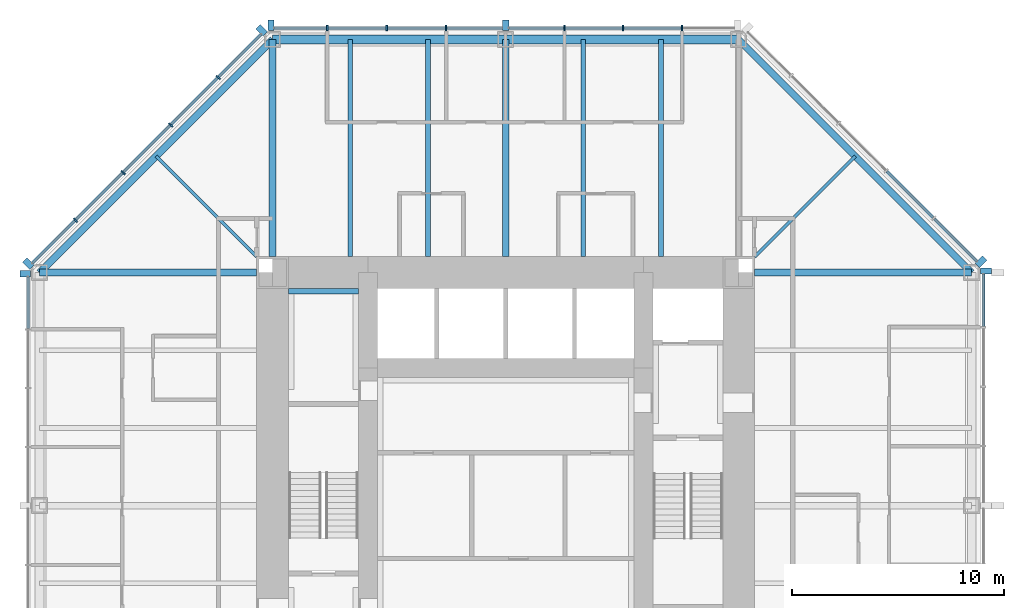
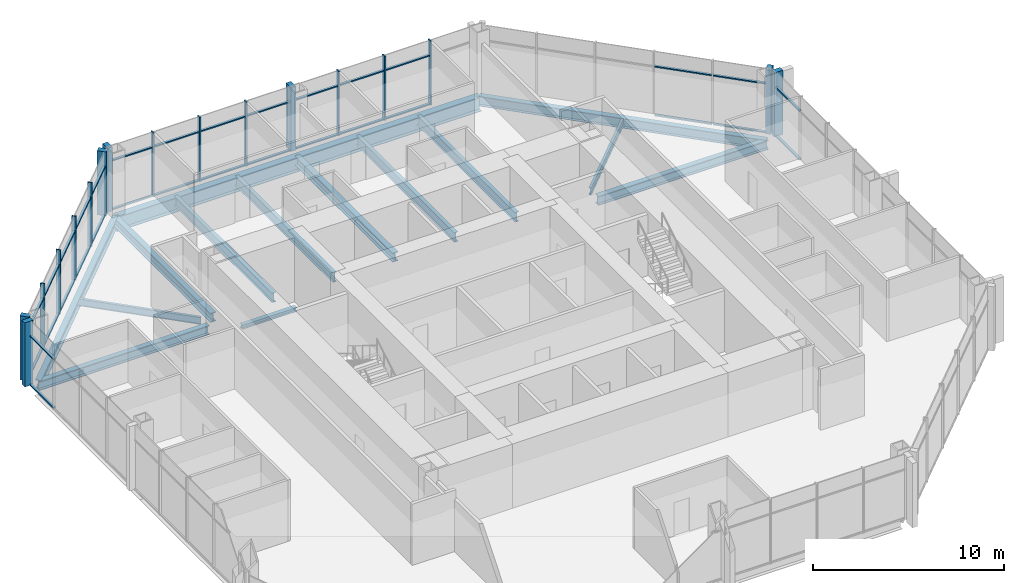
# One storey, part 5 of 12: 49 members, 15 beams, 5 elements without a shape of their own.
"""IFC4 building model written with IfcOpenShell, lengths in metres."""

from ifc_helpers import new_model, si_unit, direction, frame, origin, origin_2d, place, context, subcontext, project, spatial, rectangle, i_section, extrude, material, material_profile, profile_set, type_object, element, aggregate, save


model = new_model("IFC4")

# Units and contexts
model_context = context("Model", 3, precision=1e-05, world=origin(), true_north=direction((0.0, 1.0)))
body_context = subcontext(model_context, "Body", "Model", "MODEL_VIEW")
ifc_project = project(units=[si_unit("LENGTHUNIT", "METRE"), si_unit("AREAUNIT", "SQUARE_METRE"), si_unit("VOLUMEUNIT", "CUBIC_METRE"), si_unit("PLANEANGLEUNIT", "RADIAN"), si_unit("MASSUNIT", "GRAM", prefix="KILO")], contexts=[model_context])

# Site, building, storey
site_placement = place(None, origin())
site = spatial("IfcSite", under=ifc_project, at=site_placement, CompositionType="ELEMENT")
building_placement = place(site_placement, origin())
building = spatial("IfcBuilding", under=site, at=building_placement, Name="Trevanion Tower", CompositionType="ELEMENT")
storey_placement = place(building_placement, frame((0.0, 0.0, 129.5)))
storey = spatial("IfcBuildingStorey", under=building, at=storey_placement, Name="L30", CompositionType="ELEMENT", Elevation=129.5)

# Beams
ifc_material_1 = material(Name="Steel ASTM A992 Grade 50", Category="steel")
ifc_material_profile_1 = material_profile(ifc_material_1, i_section(OverallWidth=0.22900390625, OverallDepth=0.612060546875, WebThickness=0.011962890625, FlangeThickness=0.01953125, at=origin_2d()), Name="W24X84")
ifc_profile_set_1 = profile_set([ifc_material_profile_1], Name="Steel ASTM A992 Grade 50")
beam_type_1 = type_object("IfcBeamType", Name="B7 W24X84", PredefinedType="BEAM", material=ifc_profile_set_1)
for number, where, z_axis, x_axis, name in (
    (1, (7.333251953125, 11.75, -0.49609375), (0.0, 1.0, 0.0), (-1.0, 0.0, 0.0), "B7 L30"),
    (2, (3.666748046875, 11.75, -0.49609375), (0.0, 1.0, 0.0), (-1.0, 0.0, 0.0), "B7 L30"),
    (3, (-3.666748046875, 11.75, -0.49609375), (0.0, 1.0, 0.0), (-1.0, 0.0, 0.0), "B7 L30"),
    (4, (-7.333251953125, 11.75, -0.49609375), (0.0, 1.0, 0.0), (-1.0, 0.0, 0.0), "B7 L30"),
):
    element("IfcBeam", number, at=place(storey_placement, frame(where, z_axis=z_axis, x_axis=x_axis)), inside=storey, type_object=beam_type_1, Name=name, PredefinedType="BEAM", context=body_context, shape_type="SweptSolid", body=[
        extrude(i_section(OverallWidth=0.22900390625, OverallDepth=0.612060546875, WebThickness=0.011962890625, FlangeThickness=0.01953125, at=origin_2d()), origin(), (0.0, 0.0, 1.0), 10.25),
    ])
ifc_material_2 = material(Name="Steel ASTM A992 Grade 50", Category="steel")
ifc_material_profile_2 = material_profile(ifc_material_2, i_section(OverallWidth=0.15234375, OverallDepth=0.449462890625, WebThickness=0.007568359375, FlangeThickness=0.0107421875, at=origin_2d()), Name="W18X35")
ifc_profile_set_2 = profile_set([ifc_material_profile_2], Name="Steel ASTM A992 Grade 50")
beam_type_2 = type_object("IfcBeamType", Name="B8 W18X35", PredefinedType="BEAM", material=ifc_profile_set_2)
for number, where, z_axis, x_axis, name in (
    (5, (11.75, 11.75, -0.414794921875), (0.707106781187, 0.707106781187, 0.0), (-0.707106781187, 0.707106781187, 0.0), "B8 L30"),
    (6, (-11.75, 11.75, -0.414794921875), (-0.707106781187, 0.707106781187, 0.0), (-0.707106781187, -0.707106781187, 0.0), "B8 L30"),
):
    element("IfcBeam", number, at=place(storey_placement, frame(where, z_axis=z_axis, x_axis=x_axis)), inside=storey, type_object=beam_type_2, Name=name, PredefinedType="BEAM", context=body_context, shape_type="SweptSolid", body=[
        extrude(i_section(OverallWidth=0.15234375, OverallDepth=0.449462890625, WebThickness=0.007568359375, FlangeThickness=0.0107421875, at=origin_2d()), origin(), (0.0, 0.0, 1.0), 6.717529296875),
    ])

# Curtain wall, members
ifc_material_3 = material(Name="Aluminium and glass", Category="aluminium")
curtain_wall_type = type_object("IfcCurtainWallType", Name="CW2 curtain wall", PredefinedType="USERDEFINED", material=ifc_material_3)
curtain_wall_1_placement = place(storey_placement, origin())
curtain_wall_1 = element("IfcCurtainWall", 7, at=curtain_wall_1_placement, inside=storey, type_object=curtain_wall_type, Name="CW2 L30 2", ObjectType="UNITISED CURTAIN WALL", PredefinedType="USERDEFINED")
ifc_material_4 = material(Name="Aluminium extrusion, anodised bronze", Category="aluminium")
ifc_material_profile_3 = material_profile(ifc_material_4, rectangle(XDim=0.074951171875, YDim=0.25, at=origin_2d()), Name="CW2 mullion")
ifc_profile_set_3 = profile_set([ifc_material_profile_3], Name="Aluminium extrusion, anodised bronze")
member_type_1 = type_object("IfcMemberType", Name="CW2 mullion", PredefinedType="MULLION", material=ifc_profile_set_3)
member_1_placement = place(storey_placement, frame((8.323486328125, 22.550048828125, -0.18994140625), z_axis=(0.0, 0.0, 1.0), x_axis=(-1.0, 0.0, 0.0)))
member_1 = element("IfcMember", 8, at=member_1_placement, type_object=member_type_1, Name="CW2 mullion 2", PredefinedType="MULLION", context=body_context, shape_type="SweptSolid", body=[
    extrude(rectangle(XDim=0.074951171875, YDim=0.25, at=origin_2d()), origin(), (0.0, 0.0, 1.0), 4.099853515625),
])
member_2_placement = place(storey_placement, frame((5.548828125, 22.550048828125, -0.18994140625), z_axis=(0.0, 0.0, 1.0), x_axis=(-1.0, 0.0, 0.0)))
member_2 = element("IfcMember", 9, at=member_2_placement, type_object=member_type_1, Name="CW2 mullion 3", PredefinedType="MULLION", context=body_context, shape_type="SweptSolid", body=[
    extrude(rectangle(XDim=0.074951171875, YDim=0.25, at=origin_2d()), origin(), (0.0, 0.0, 1.0), 4.099853515625),
])
member_3_placement = place(storey_placement, frame((2.7744140625, 22.550048828125, -0.18994140625), z_axis=(0.0, 0.0, 1.0), x_axis=(-1.0, 0.0, 0.0)))
member_3 = element("IfcMember", 10, at=member_3_placement, type_object=member_type_1, Name="CW2 mullion 4", PredefinedType="MULLION", context=body_context, shape_type="SweptSolid", body=[
    extrude(rectangle(XDim=0.074951171875, YDim=0.25, at=origin_2d()), origin(), (0.0, 0.0, 1.0), 4.099853515625),
])
member_4_placement = place(storey_placement, frame((-2.806884765625, 22.550048828125, -0.18994140625), z_axis=(0.0, 0.0, 1.0), x_axis=(-1.0, 0.0, 0.0)))
member_4 = element("IfcMember", 11, at=member_4_placement, type_object=member_type_1, Name="CW2 mullion 6", PredefinedType="MULLION", context=body_context, shape_type="SweptSolid", body=[
    extrude(rectangle(XDim=0.074951171875, YDim=0.25, at=origin_2d()), origin(), (0.0, 0.0, 1.0), 4.099853515625),
])
member_5_placement = place(storey_placement, frame((-5.614013671875, 22.550048828125, -0.18994140625), z_axis=(0.0, 0.0, 1.0), x_axis=(-1.0, 0.0, 0.0)))
member_5 = element("IfcMember", 12, at=member_5_placement, type_object=member_type_1, Name="CW2 mullion 7", PredefinedType="MULLION", context=body_context, shape_type="SweptSolid", body=[
    extrude(rectangle(XDim=0.074951171875, YDim=0.25, at=origin_2d()), origin(), (0.0, 0.0, 1.0), 4.099853515625),
])
member_6_placement = place(storey_placement, frame((-8.4208984375, 22.550048828125, -0.18994140625), z_axis=(0.0, 0.0, 1.0), x_axis=(-1.0, 0.0, 0.0)))
member_6 = element("IfcMember", 13, at=member_6_placement, type_object=member_type_1, Name="CW2 mullion 8", PredefinedType="MULLION", context=body_context, shape_type="SweptSolid", body=[
    extrude(rectangle(XDim=0.074951171875, YDim=0.25, at=origin_2d()), origin(), (0.0, 0.0, 1.0), 4.099853515625),
])

curtain_wall_2_placement = place(storey_placement, origin())
curtain_wall_2 = element("IfcCurtainWall", 14, at=curtain_wall_2_placement, inside=storey, type_object=curtain_wall_type, Name="CW2 L30 3", ObjectType="UNITISED CURTAIN WALL", PredefinedType="USERDEFINED")
member_7_placement = place(storey_placement, frame((-13.56591796875, 20.2119140625, -0.18994140625), z_axis=(0.0, 0.0, 1.0), x_axis=(-0.707106781187, -0.707106781187, 0.0)))
member_7 = element("IfcMember", 15, at=member_7_placement, type_object=member_type_1, Name="CW2 mullion 2", PredefinedType="MULLION", context=body_context, shape_type="SweptSolid", body=[
    extrude(rectangle(XDim=0.074951171875, YDim=0.25, at=origin_2d()), origin(), (0.0, 0.0, 1.0), 4.099853515625),
])
member_8_placement = place(storey_placement, frame((-15.811767578125, 17.966064453125, -0.18994140625), z_axis=(0.0, 0.0, 1.0), x_axis=(-0.707106781187, -0.707106781187, 0.0)))
member_8 = element("IfcMember", 16, at=member_8_placement, type_object=member_type_1, Name="CW2 mullion 3", PredefinedType="MULLION", context=body_context, shape_type="SweptSolid", body=[
    extrude(rectangle(XDim=0.074951171875, YDim=0.25, at=origin_2d()), origin(), (0.0, 0.0, 1.0), 4.099853515625),
])
member_9_placement = place(storey_placement, frame((-18.057861328125, 15.719970703125, -0.18994140625), z_axis=(0.0, 0.0, 1.0), x_axis=(-0.707106781187, -0.707106781187, 0.0)))
member_9 = element("IfcMember", 17, at=member_9_placement, type_object=member_type_1, Name="CW2 mullion 4", PredefinedType="MULLION", context=body_context, shape_type="SweptSolid", body=[
    extrude(rectangle(XDim=0.074951171875, YDim=0.25, at=origin_2d()), origin(), (0.0, 0.0, 1.0), 4.099853515625),
])
member_10_placement = place(storey_placement, frame((-20.303955078125, 13.473876953125, -0.18994140625), z_axis=(0.0, 0.0, 1.0), x_axis=(-0.707106781187, -0.707106781187, 0.0)))
member_10 = element("IfcMember", 18, at=member_10_placement, type_object=member_type_1, Name="CW2 mullion 5", PredefinedType="MULLION", context=body_context, shape_type="SweptSolid", body=[
    extrude(rectangle(XDim=0.074951171875, YDim=0.25, at=origin_2d()), origin(), (0.0, 0.0, 1.0), 4.099853515625),
])

# Curtain wall, member
curtain_wall_3_placement = place(storey_placement, origin())
curtain_wall_3 = element("IfcCurtainWall", 19, at=curtain_wall_3_placement, inside=storey, type_object=curtain_wall_type, Name="CW2 L30 0", ObjectType="UNITISED CURTAIN WALL", PredefinedType="USERDEFINED")
ifc_material_5 = material(Name="Aluminium extrusion, anodised bronze", Category="aluminium")
ifc_material_profile_4 = material_profile(ifc_material_5, rectangle(XDim=0.300048828125, YDim=0.5, at=origin_2d()), Name="CW2 pier mullion")
ifc_profile_set_4 = profile_set([ifc_material_profile_4], Name="Aluminium extrusion, anodised bronze")
member_type_2 = type_object("IfcMemberType", Name="CW2 pier mullion", PredefinedType="MULLION", material=ifc_profile_set_4)
member_11_placement = place(storey_placement, frame((22.675048828125, 11.077880859375, -0.18994140625), z_axis=(0.0, 0.0, 1.0), x_axis=(0.0, 1.0, 0.0)))
member_11 = element("IfcMember", 20, at=member_11_placement, type_object=member_type_2, Name="CW2 pier mullion 9", PredefinedType="MULLION", context=body_context, shape_type="SweptSolid", body=[
    extrude(rectangle(XDim=0.300048828125, YDim=0.5, at=origin_2d()), origin(), (0.0, 0.0, 1.0), 4.099853515625),
])

curtain_wall_4_placement = place(storey_placement, origin())
curtain_wall_4 = element("IfcCurtainWall", 21, at=curtain_wall_4_placement, inside=storey, type_object=curtain_wall_type, Name="CW2 L30 1", ObjectType="UNITISED CURTAIN WALL", PredefinedType="USERDEFINED")
member_12_placement = place(storey_placement, frame((22.4404296875, 11.51416015625, -0.18994140625), z_axis=(0.0, 0.0, 1.0), x_axis=(-0.707106781187, 0.707106781187, 0.0)))
member_12 = element("IfcMember", 22, at=member_12_placement, type_object=member_type_2, Name="CW2 pier mullion 1", PredefinedType="MULLION", context=body_context, shape_type="SweptSolid", body=[
    extrude(rectangle(XDim=0.300048828125, YDim=0.5, at=origin_2d()), origin(), (0.0, 0.0, 1.0), 4.099853515625),
])

# Member
member_13_placement = place(storey_placement, frame((0.0, 22.675048828125, -0.18994140625), z_axis=(0.0, 0.0, 1.0), x_axis=(-1.0, 0.0, 0.0)))
member_13 = element("IfcMember", 23, at=member_13_placement, type_object=member_type_2, Name="CW2 pier mullion 5", PredefinedType="MULLION", context=body_context, shape_type="SweptSolid", body=[
    extrude(rectangle(XDim=0.300048828125, YDim=0.5, at=origin_2d()), origin(), (0.0, 0.0, 1.0), 4.099853515625),
])

member_14_placement = place(storey_placement, frame((-11.077880859375, 22.675048828125, -0.18994140625), z_axis=(0.0, 0.0, 1.0), x_axis=(-1.0, 0.0, 0.0)))
member_14 = element("IfcMember", 24, at=member_14_placement, type_object=member_type_2, Name="CW2 pier mullion 9", PredefinedType="MULLION", context=body_context, shape_type="SweptSolid", body=[
    extrude(rectangle(XDim=0.300048828125, YDim=0.5, at=origin_2d()), origin(), (0.0, 0.0, 1.0), 4.099853515625),
])

member_15_placement = place(storey_placement, frame((-11.51416015625, 22.4404296875, -0.18994140625), z_axis=(0.0, 0.0, 1.0), x_axis=(-0.707106781187, -0.707106781187, 0.0)))
member_15 = element("IfcMember", 25, at=member_15_placement, type_object=member_type_2, Name="CW2 pier mullion 1", PredefinedType="MULLION", context=body_context, shape_type="SweptSolid", body=[
    extrude(rectangle(XDim=0.300048828125, YDim=0.5, at=origin_2d()), origin(), (0.0, 0.0, 1.0), 4.099853515625),
])

member_16_placement = place(storey_placement, frame((-22.5322265625, 11.42236328125, -0.18994140625), z_axis=(0.0, 0.0, 1.0), x_axis=(-0.707106781187, -0.707106781187, 0.0)))
member_16 = element("IfcMember", 26, at=member_16_placement, type_object=member_type_2, Name="CW2 pier mullion 6", PredefinedType="MULLION", context=body_context, shape_type="SweptSolid", body=[
    extrude(rectangle(XDim=0.300048828125, YDim=0.5, at=origin_2d()), origin(), (0.0, 0.0, 1.0), 4.099853515625),
])

# Curtain wall, member
curtain_wall_5_placement = place(storey_placement, origin())
curtain_wall_5 = element("IfcCurtainWall", 27, at=curtain_wall_5_placement, inside=storey, type_object=curtain_wall_type, Name="CW2 L30 4", ObjectType="UNITISED CURTAIN WALL", PredefinedType="USERDEFINED")
member_17_placement = place(storey_placement, frame((-22.675048828125, 10.94775390625, -0.18994140625), z_axis=(0.0, 0.0, 1.0), x_axis=(0.0, -1.0, 0.0)))
member_17 = element("IfcMember", 28, at=member_17_placement, type_object=member_type_2, Name="CW2 pier mullion 1", PredefinedType="MULLION", context=body_context, shape_type="SweptSolid", body=[
    extrude(rectangle(XDim=0.300048828125, YDim=0.5, at=origin_2d()), origin(), (0.0, 0.0, 1.0), 4.099853515625),
])

# Member
ifc_material_6 = material(Name="Aluminium extrusion, anodised bronze", Category="aluminium")
ifc_material_profile_5 = material_profile(ifc_material_6, rectangle(XDim=0.14990234375, YDim=0.074951171875, at=origin_2d()), Name="CW2 transom")
ifc_profile_set_5 = profile_set([ifc_material_profile_5], Name="Aluminium extrusion, anodised bronze")
member_type_3 = type_object("IfcMemberType", Name="CW2 transom", PredefinedType="USERDEFINED", material=ifc_profile_set_5)
member_18_placement = place(storey_placement, frame((22.550048828125, 8.45849609375, -0.152587890625), z_axis=(0.0, 1.0, 0.0), x_axis=(-1.0, 0.0, 0.0)))
member_18 = element("IfcMember", 29, at=member_18_placement, type_object=member_type_3, Name="CW2 transom 8.1", ObjectType="TRANSOM", PredefinedType="USERDEFINED", context=body_context, shape_type="SweptSolid", body=[
    extrude(rectangle(XDim=0.14990234375, YDim=0.074951171875, at=origin_2d()), origin(), (0.0, 0.0, 1.0), 2.46923828125),
])

member_19_placement = place(storey_placement, frame((22.550048828125, 8.45849609375, 2.9599609375), z_axis=(0.0, 1.0, 0.0), x_axis=(-1.0, 0.0, 0.0)))
member_19 = element("IfcMember", 30, at=member_19_placement, type_object=member_type_3, Name="CW2 transom 8.2", ObjectType="TRANSOM", PredefinedType="USERDEFINED", context=body_context, shape_type="SweptSolid", body=[
    extrude(rectangle(XDim=0.14990234375, YDim=0.074951171875, at=origin_2d()), origin(), (0.0, 0.0, 1.0), 2.46923828125),
])

aggregate(curtain_wall_3, [member_11, member_18, member_19])

member_20_placement = place(storey_placement, frame((22.245849609375, 11.531982421875, -0.152587890625), z_axis=(-0.707106781187, 0.707106781187, 0.0), x_axis=(-0.707106781187, -0.707106781187, 0.0)))
member_20 = element("IfcMember", 31, at=member_20_placement, type_object=member_type_3, Name="CW2 transom 1.1", ObjectType="TRANSOM", PredefinedType="USERDEFINED", context=body_context, shape_type="SweptSolid", body=[
    extrude(rectangle(XDim=0.14990234375, YDim=0.074951171875, at=origin_2d()), origin(), (0.0, 0.0, 1.0), 2.8388671875),
])

member_21_placement = place(storey_placement, frame((22.245849609375, 11.531982421875, 2.9599609375), z_axis=(-0.707106781187, 0.707106781187, 0.0), x_axis=(-0.707106781187, -0.707106781187, 0.0)))
member_21 = element("IfcMember", 32, at=member_21_placement, type_object=member_type_3, Name="CW2 transom 1.2", ObjectType="TRANSOM", PredefinedType="USERDEFINED", context=body_context, shape_type="SweptSolid", body=[
    extrude(rectangle(XDim=0.14990234375, YDim=0.074951171875, at=origin_2d()), origin(), (0.0, 0.0, 1.0), 2.8388671875),
])

member_22_placement = place(storey_placement, frame((20.185546875, 13.59228515625, -0.152587890625), z_axis=(-0.707106781187, 0.707106781187, 0.0), x_axis=(-0.707106781187, -0.707106781187, 0.0)))
member_22 = element("IfcMember", 33, at=member_22_placement, type_object=member_type_3, Name="CW2 transom 2.1", ObjectType="TRANSOM", PredefinedType="USERDEFINED", context=body_context, shape_type="SweptSolid", body=[
    extrude(rectangle(XDim=0.14990234375, YDim=0.074951171875, at=origin_2d()), origin(), (0.0, 0.0, 1.0), 3.1015625),
])

member_23_placement = place(storey_placement, frame((20.185546875, 13.59228515625, 2.9599609375), z_axis=(-0.707106781187, 0.707106781187, 0.0), x_axis=(-0.707106781187, -0.707106781187, 0.0)))
member_23 = element("IfcMember", 34, at=member_23_placement, type_object=member_type_3, Name="CW2 transom 2.2", ObjectType="TRANSOM", PredefinedType="USERDEFINED", context=body_context, shape_type="SweptSolid", body=[
    extrude(rectangle(XDim=0.14990234375, YDim=0.074951171875, at=origin_2d()), origin(), (0.0, 0.0, 1.0), 3.1015625),
])

aggregate(curtain_wall_4, [member_12, member_20, member_21, member_22, member_23])

member_24_placement = place(storey_placement, frame((8.285888671875, 22.550048828125, -0.152587890625), z_axis=(-1.0, 0.0, 0.0), x_axis=(0.0, -1.0, 0.0)))
member_24 = element("IfcMember", 35, at=member_24_placement, type_object=member_type_3, Name="CW2 transom 2.1", ObjectType="TRANSOM", PredefinedType="USERDEFINED", context=body_context, shape_type="SweptSolid", body=[
    extrude(rectangle(XDim=0.14990234375, YDim=0.074951171875, at=origin_2d()), origin(), (0.0, 0.0, 1.0), 2.699462890625),
])

member_25_placement = place(storey_placement, frame((8.285888671875, 22.550048828125, 2.9599609375), z_axis=(-1.0, 0.0, 0.0), x_axis=(0.0, -1.0, 0.0)))
member_25 = element("IfcMember", 36, at=member_25_placement, type_object=member_type_3, Name="CW2 transom 2.2", ObjectType="TRANSOM", PredefinedType="USERDEFINED", context=body_context, shape_type="SweptSolid", body=[
    extrude(rectangle(XDim=0.14990234375, YDim=0.074951171875, at=origin_2d()), origin(), (0.0, 0.0, 1.0), 2.699462890625),
])

member_26_placement = place(storey_placement, frame((5.511474609375, 22.550048828125, -0.152587890625), z_axis=(-1.0, 0.0, 0.0), x_axis=(0.0, -1.0, 0.0)))
member_26 = element("IfcMember", 37, at=member_26_placement, type_object=member_type_3, Name="CW2 transom 3.1", ObjectType="TRANSOM", PredefinedType="USERDEFINED", context=body_context, shape_type="SweptSolid", body=[
    extrude(rectangle(XDim=0.14990234375, YDim=0.074951171875, at=origin_2d()), origin(), (0.0, 0.0, 1.0), 2.699462890625),
])

member_27_placement = place(storey_placement, frame((5.511474609375, 22.550048828125, 2.9599609375), z_axis=(-1.0, 0.0, 0.0), x_axis=(0.0, -1.0, 0.0)))
member_27 = element("IfcMember", 38, at=member_27_placement, type_object=member_type_3, Name="CW2 transom 3.2", ObjectType="TRANSOM", PredefinedType="USERDEFINED", context=body_context, shape_type="SweptSolid", body=[
    extrude(rectangle(XDim=0.14990234375, YDim=0.074951171875, at=origin_2d()), origin(), (0.0, 0.0, 1.0), 2.699462890625),
])

member_28_placement = place(storey_placement, frame((2.737060546875, 22.550048828125, -0.152587890625), z_axis=(-1.0, 0.0, 0.0), x_axis=(0.0, -1.0, 0.0)))
member_28 = element("IfcMember", 39, at=member_28_placement, type_object=member_type_3, Name="CW2 transom 4.1", ObjectType="TRANSOM", PredefinedType="USERDEFINED", context=body_context, shape_type="SweptSolid", body=[
    extrude(rectangle(XDim=0.14990234375, YDim=0.074951171875, at=origin_2d()), origin(), (0.0, 0.0, 1.0), 2.587158203125),
])

member_29_placement = place(storey_placement, frame((2.737060546875, 22.550048828125, 2.9599609375), z_axis=(-1.0, 0.0, 0.0), x_axis=(0.0, -1.0, 0.0)))
member_29 = element("IfcMember", 40, at=member_29_placement, type_object=member_type_3, Name="CW2 transom 4.2", ObjectType="TRANSOM", PredefinedType="USERDEFINED", context=body_context, shape_type="SweptSolid", body=[
    extrude(rectangle(XDim=0.14990234375, YDim=0.074951171875, at=origin_2d()), origin(), (0.0, 0.0, 1.0), 2.587158203125),
])

member_30_placement = place(storey_placement, frame((-0.14990234375, 22.550048828125, -0.152587890625), z_axis=(-1.0, 0.0, 0.0), x_axis=(0.0, -1.0, 0.0)))
member_30 = element("IfcMember", 41, at=member_30_placement, type_object=member_type_3, Name="CW2 transom 5.1", ObjectType="TRANSOM", PredefinedType="USERDEFINED", context=body_context, shape_type="SweptSolid", body=[
    extrude(rectangle(XDim=0.14990234375, YDim=0.074951171875, at=origin_2d()), origin(), (0.0, 0.0, 1.0), 2.619384765625),
])

member_31_placement = place(storey_placement, frame((-0.14990234375, 22.550048828125, 2.9599609375), z_axis=(-1.0, 0.0, 0.0), x_axis=(0.0, -1.0, 0.0)))
member_31 = element("IfcMember", 42, at=member_31_placement, type_object=member_type_3, Name="CW2 transom 5.2", ObjectType="TRANSOM", PredefinedType="USERDEFINED", context=body_context, shape_type="SweptSolid", body=[
    extrude(rectangle(XDim=0.14990234375, YDim=0.074951171875, at=origin_2d()), origin(), (0.0, 0.0, 1.0), 2.619384765625),
])

member_32_placement = place(storey_placement, frame((-2.844482421875, 22.550048828125, -0.152587890625), z_axis=(-1.0, 0.0, 0.0), x_axis=(0.0, -1.0, 0.0)))
member_32 = element("IfcMember", 43, at=member_32_placement, type_object=member_type_3, Name="CW2 transom 6.1", ObjectType="TRANSOM", PredefinedType="USERDEFINED", context=body_context, shape_type="SweptSolid", body=[
    extrude(rectangle(XDim=0.14990234375, YDim=0.074951171875, at=origin_2d()), origin(), (0.0, 0.0, 1.0), 2.73193359375),
])

member_33_placement = place(storey_placement, frame((-2.844482421875, 22.550048828125, 2.9599609375), z_axis=(-1.0, 0.0, 0.0), x_axis=(0.0, -1.0, 0.0)))
member_33 = element("IfcMember", 44, at=member_33_placement, type_object=member_type_3, Name="CW2 transom 6.2", ObjectType="TRANSOM", PredefinedType="USERDEFINED", context=body_context, shape_type="SweptSolid", body=[
    extrude(rectangle(XDim=0.14990234375, YDim=0.074951171875, at=origin_2d()), origin(), (0.0, 0.0, 1.0), 2.73193359375),
])

member_34_placement = place(storey_placement, frame((-5.6513671875, 22.550048828125, -0.152587890625), z_axis=(-1.0, 0.0, 0.0), x_axis=(0.0, -1.0, 0.0)))
member_34 = element("IfcMember", 45, at=member_34_placement, type_object=member_type_3, Name="CW2 transom 7.1", ObjectType="TRANSOM", PredefinedType="USERDEFINED", context=body_context, shape_type="SweptSolid", body=[
    extrude(rectangle(XDim=0.14990234375, YDim=0.074951171875, at=origin_2d()), origin(), (0.0, 0.0, 1.0), 2.73193359375),
])

member_35_placement = place(storey_placement, frame((-5.6513671875, 22.550048828125, 2.9599609375), z_axis=(-1.0, 0.0, 0.0), x_axis=(0.0, -1.0, 0.0)))
member_35 = element("IfcMember", 46, at=member_35_placement, type_object=member_type_3, Name="CW2 transom 7.2", ObjectType="TRANSOM", PredefinedType="USERDEFINED", context=body_context, shape_type="SweptSolid", body=[
    extrude(rectangle(XDim=0.14990234375, YDim=0.074951171875, at=origin_2d()), origin(), (0.0, 0.0, 1.0), 2.73193359375),
])

member_36_placement = place(storey_placement, frame((-8.45849609375, 22.550048828125, -0.152587890625), z_axis=(-1.0, 0.0, 0.0), x_axis=(0.0, -1.0, 0.0)))
member_36 = element("IfcMember", 47, at=member_36_placement, type_object=member_type_3, Name="CW2 transom 8.1", ObjectType="TRANSOM", PredefinedType="USERDEFINED", context=body_context, shape_type="SweptSolid", body=[
    extrude(rectangle(XDim=0.14990234375, YDim=0.074951171875, at=origin_2d()), origin(), (0.0, 0.0, 1.0), 2.46923828125),
])

member_37_placement = place(storey_placement, frame((-8.45849609375, 22.550048828125, 2.9599609375), z_axis=(-1.0, 0.0, 0.0), x_axis=(0.0, -1.0, 0.0)))
member_37 = element("IfcMember", 48, at=member_37_placement, type_object=member_type_3, Name="CW2 transom 8.2", ObjectType="TRANSOM", PredefinedType="USERDEFINED", context=body_context, shape_type="SweptSolid", body=[
    extrude(rectangle(XDim=0.14990234375, YDim=0.074951171875, at=origin_2d()), origin(), (0.0, 0.0, 1.0), 2.46923828125),
])

aggregate(curtain_wall_1, [member_1, member_2, member_3, member_13, member_4, member_5, member_6, member_14, member_24, member_25, member_26, member_27, member_28, member_29, member_30, member_31, member_32, member_33, member_34, member_35, member_36, member_37])

member_38_placement = place(storey_placement, frame((-11.531982421875, 22.245849609375, -0.152587890625), z_axis=(-0.707106781187, -0.707106781187, 0.0), x_axis=(0.707106781187, -0.707106781187, 0.0)))
member_38 = element("IfcMember", 49, at=member_38_placement, type_object=member_type_3, Name="CW2 transom 1.1", ObjectType="TRANSOM", PredefinedType="USERDEFINED", context=body_context, shape_type="SweptSolid", body=[
    extrude(rectangle(XDim=0.14990234375, YDim=0.074951171875, at=origin_2d()), origin(), (0.0, 0.0, 1.0), 2.8388671875),
])

member_39_placement = place(storey_placement, frame((-11.531982421875, 22.245849609375, 2.9599609375), z_axis=(-0.707106781187, -0.707106781187, 0.0), x_axis=(0.707106781187, -0.707106781187, 0.0)))
member_39 = element("IfcMember", 50, at=member_39_placement, type_object=member_type_3, Name="CW2 transom 1.2", ObjectType="TRANSOM", PredefinedType="USERDEFINED", context=body_context, shape_type="SweptSolid", body=[
    extrude(rectangle(XDim=0.14990234375, YDim=0.074951171875, at=origin_2d()), origin(), (0.0, 0.0, 1.0), 2.8388671875),
])

member_40_placement = place(storey_placement, frame((-13.59228515625, 20.185546875, -0.152587890625), z_axis=(-0.707106781187, -0.707106781187, 0.0), x_axis=(0.707106781187, -0.707106781187, 0.0)))
member_40 = element("IfcMember", 51, at=member_40_placement, type_object=member_type_3, Name="CW2 transom 2.1", ObjectType="TRANSOM", PredefinedType="USERDEFINED", context=body_context, shape_type="SweptSolid", body=[
    extrude(rectangle(XDim=0.14990234375, YDim=0.074951171875, at=origin_2d()), origin(), (0.0, 0.0, 1.0), 3.1015625),
])

member_41_placement = place(storey_placement, frame((-13.59228515625, 20.185546875, 2.9599609375), z_axis=(-0.707106781187, -0.707106781187, 0.0), x_axis=(0.707106781187, -0.707106781187, 0.0)))
member_41 = element("IfcMember", 52, at=member_41_placement, type_object=member_type_3, Name="CW2 transom 2.2", ObjectType="TRANSOM", PredefinedType="USERDEFINED", context=body_context, shape_type="SweptSolid", body=[
    extrude(rectangle(XDim=0.14990234375, YDim=0.074951171875, at=origin_2d()), origin(), (0.0, 0.0, 1.0), 3.1015625),
])

member_42_placement = place(storey_placement, frame((-15.83837890625, 17.939453125, -0.152587890625), z_axis=(-0.707106781187, -0.707106781187, 0.0), x_axis=(0.707106781187, -0.707106781187, 0.0)))
member_42 = element("IfcMember", 53, at=member_42_placement, type_object=member_type_3, Name="CW2 transom 3.1", ObjectType="TRANSOM", PredefinedType="USERDEFINED", context=body_context, shape_type="SweptSolid", body=[
    extrude(rectangle(XDim=0.14990234375, YDim=0.074951171875, at=origin_2d()), origin(), (0.0, 0.0, 1.0), 3.1015625),
])

member_43_placement = place(storey_placement, frame((-15.83837890625, 17.939453125, 2.9599609375), z_axis=(-0.707106781187, -0.707106781187, 0.0), x_axis=(0.707106781187, -0.707106781187, 0.0)))
member_43 = element("IfcMember", 54, at=member_43_placement, type_object=member_type_3, Name="CW2 transom 3.2", ObjectType="TRANSOM", PredefinedType="USERDEFINED", context=body_context, shape_type="SweptSolid", body=[
    extrude(rectangle(XDim=0.14990234375, YDim=0.074951171875, at=origin_2d()), origin(), (0.0, 0.0, 1.0), 3.1015625),
])

member_44_placement = place(storey_placement, frame((-18.08447265625, 15.693359375, -0.152587890625), z_axis=(-0.707106781187, -0.707106781187, 0.0), x_axis=(0.707106781187, -0.707106781187, 0.0)))
member_44 = element("IfcMember", 55, at=member_44_placement, type_object=member_type_3, Name="CW2 transom 4.1", ObjectType="TRANSOM", PredefinedType="USERDEFINED", context=body_context, shape_type="SweptSolid", body=[
    extrude(rectangle(XDim=0.14990234375, YDim=0.074951171875, at=origin_2d()), origin(), (0.0, 0.0, 1.0), 3.10107421875),
])

member_45_placement = place(storey_placement, frame((-18.08447265625, 15.693359375, 2.9599609375), z_axis=(-0.707106781187, -0.707106781187, 0.0), x_axis=(0.707106781187, -0.707106781187, 0.0)))
member_45 = element("IfcMember", 56, at=member_45_placement, type_object=member_type_3, Name="CW2 transom 4.2", ObjectType="TRANSOM", PredefinedType="USERDEFINED", context=body_context, shape_type="SweptSolid", body=[
    extrude(rectangle(XDim=0.14990234375, YDim=0.074951171875, at=origin_2d()), origin(), (0.0, 0.0, 1.0), 3.10107421875),
])

member_46_placement = place(storey_placement, frame((-20.33056640625, 13.447509765625, -0.152587890625), z_axis=(-0.707063781595, -0.707149778163, 0.0), x_axis=(0.707149778163, -0.707063781595, 0.0)))
member_46 = element("IfcMember", 57, at=member_46_placement, type_object=member_type_3, Name="CW2 transom 5.1", ObjectType="TRANSOM", PredefinedType="USERDEFINED", context=body_context, shape_type="SweptSolid", body=[
    extrude(rectangle(XDim=0.14990234375, YDim=0.074951171875, at=origin_2d()), origin(), (0.0, 0.0, 1.0), 2.8388671875),
])

member_47_placement = place(storey_placement, frame((-20.33056640625, 13.447509765625, 2.9599609375), z_axis=(-0.707063781595, -0.707149778163, 0.0), x_axis=(0.707149778163, -0.707063781595, 0.0)))
member_47 = element("IfcMember", 58, at=member_47_placement, type_object=member_type_3, Name="CW2 transom 5.2", ObjectType="TRANSOM", PredefinedType="USERDEFINED", context=body_context, shape_type="SweptSolid", body=[
    extrude(rectangle(XDim=0.14990234375, YDim=0.074951171875, at=origin_2d()), origin(), (0.0, 0.0, 1.0), 2.8388671875),
])

aggregate(curtain_wall_2, [member_15, member_7, member_8, member_9, member_10, member_16, member_38, member_39, member_40, member_41, member_42, member_43, member_44, member_45, member_46, member_47])

member_48_placement = place(storey_placement, frame((-22.550048828125, 10.7978515625, -0.152587890625), z_axis=(0.0, -1.0, 0.0), x_axis=(1.0, 0.0, 0.0)))
member_48 = element("IfcMember", 59, at=member_48_placement, type_object=member_type_3, Name="CW2 transom 1.1", ObjectType="TRANSOM", PredefinedType="USERDEFINED", context=body_context, shape_type="SweptSolid", body=[
    extrude(rectangle(XDim=0.14990234375, YDim=0.074951171875, at=origin_2d()), origin(), (0.0, 0.0, 1.0), 2.43701171875),
])

member_49_placement = place(storey_placement, frame((-22.550048828125, 10.7978515625, 2.9599609375), z_axis=(0.0, -1.0, 0.0), x_axis=(1.0, 0.0, 0.0)))
member_49 = element("IfcMember", 60, at=member_49_placement, type_object=member_type_3, Name="CW2 transom 1.2", ObjectType="TRANSOM", PredefinedType="USERDEFINED", context=body_context, shape_type="SweptSolid", body=[
    extrude(rectangle(XDim=0.14990234375, YDim=0.074951171875, at=origin_2d()), origin(), (0.0, 0.0, 1.0), 2.43701171875),
])

aggregate(curtain_wall_5, [member_17, member_48, member_49])

# Beams
ifc_material_7 = material(Name="Steel ASTM A992 Grade 50", Category="steel")
ifc_material_profile_6 = material_profile(ifc_material_7, i_section(OverallWidth=0.320068359375, OverallDepth=0.584228515625, WebThickness=0.023193359375, FlangeThickness=0.04150390625, at=origin_2d()), Name="W21X201")
ifc_profile_set_6 = profile_set([ifc_material_profile_6], Name="Steel ASTM A992 Grade 50")
beam_type_3 = type_object("IfcBeamType", Name="G4 W21X201", PredefinedType="BEAM", material=ifc_profile_set_6)
for number, where, z_axis, x_axis, name in (
    (61, (11.75, 11.0, -0.482177734375), (1.0, 0.0, 0.0), (0.0, 1.0, 0.0), "G4 L30"),
    (62, (0.0, 11.75, -0.482177734375), (0.0, 1.0, 0.0), (-1.0, 0.0, 0.0), "G4 L30"),
    (63, (-11.0, 11.75, -0.482177734375), (0.0, 1.0, 0.0), (-1.0, 0.0, 0.0), "G4 L30"),
    (64, (-11.75, 11.0, -0.482177734375), (-1.0, 0.0, 0.0), (0.0, -1.0, 0.0), "G4 L30"),
):
    element("IfcBeam", number, at=place(storey_placement, frame(where, z_axis=z_axis, x_axis=x_axis)), inside=storey, type_object=beam_type_3, Name=name, PredefinedType="BEAM", context=body_context, shape_type="SweptSolid", body=[
        extrude(i_section(OverallWidth=0.320068359375, OverallDepth=0.584228515625, WebThickness=0.023193359375, FlangeThickness=0.04150390625, at=origin_2d()), origin(), (0.0, 0.0, 1.0), 10.25),
    ])
ifc_material_8 = material(Name="Steel ASTM A992 Grade 50", Category="steel")
ifc_material_profile_7 = material_profile(ifc_material_8, i_section(OverallWidth=0.256591796875, OverallDepth=0.26416015625, WebThickness=0.011962890625, FlangeThickness=0.01953125, at=origin_2d()), Name="W10X68")
ifc_profile_set_7 = profile_set([ifc_material_profile_7], Name="Steel ASTM A992 Grade 50")
beam_type_4 = type_object("IfcBeamType", Name="LB1 W10X68", PredefinedType="BEAM", material=ifc_profile_set_7)
beam_placement = place(storey_placement, frame((-10.25, 10.12158203125, -0.33203125), z_axis=(1.0, 0.0, 0.0), x_axis=(0.0, 1.0, 0.0)))
element("IfcBeam", 65, at=beam_placement, inside=storey, type_object=beam_type_4, Name="LB1 L30", PredefinedType="BEAM", context=body_context, shape_type="SweptSolid", body=[
    extrude(i_section(OverallWidth=0.256591796875, OverallDepth=0.26416015625, WebThickness=0.011962890625, FlangeThickness=0.01953125, at=origin_2d()), origin(), (0.0, 0.0, 1.0), 3.300048828125),
])
ifc_material_9 = material(Name="Steel ASTM A992 Grade 50", Category="steel")
ifc_material_profile_8 = material_profile(ifc_material_9, i_section(OverallWidth=0.419189453125, OverallDepth=0.927001953125, WebThickness=0.019287109375, FlangeThickness=0.031982421875, at=origin_2d()), Name="W36X231")
ifc_profile_set_8 = profile_set([ifc_material_profile_8], Name="Steel ASTM A992 Grade 50")
beam_type_5 = type_object("IfcBeamType", Name="SB4 W36X231", PredefinedType="SPANDREL", material=ifc_profile_set_8)
for number, where, z_axis, x_axis, name in (
    (66, (11.0, 22.0, -0.653564453125), (-1.0, 0.0, 0.0), (0.0, -1.0, 0.0), "SB4 L30"),
    (67, (0.0, 22.0, -0.653564453125), (-1.0, 0.0, 0.0), (0.0, -1.0, 0.0), "SB4 L30"),
):
    element("IfcBeam", number, at=place(storey_placement, frame(where, z_axis=z_axis, x_axis=x_axis)), inside=storey, type_object=beam_type_5, Name=name, PredefinedType="SPANDREL", context=body_context, shape_type="SweptSolid", body=[
        extrude(i_section(OverallWidth=0.419189453125, OverallDepth=0.927001953125, WebThickness=0.019287109375, FlangeThickness=0.031982421875, at=origin_2d()), origin(), (0.0, 0.0, 1.0), 11.0),
    ])
ifc_material_10 = material(Name="Steel ASTM A992 Grade 50", Category="steel")
ifc_material_profile_9 = material_profile(ifc_material_10, i_section(OverallWidth=0.32763671875, OverallDepth=0.62744140625, WebThickness=0.0166015625, FlangeThickness=0.027587890625, at=origin_2d()), Name="W24X146")
ifc_profile_set_9 = profile_set([ifc_material_profile_9], Name="Steel ASTM A992 Grade 50")
beam_type_6 = type_object("IfcBeamType", Name="SB5 W24X146", PredefinedType="SPANDREL", material=ifc_profile_set_9)
for number, where, z_axis, x_axis, name in (
    (68, (22.0, 11.0, -0.503662109375), (-0.707106781187, 0.707106781187, 0.0), (-0.707106781187, -0.707106781187, 0.0), "SB5 L30"),
    (69, (-11.0, 22.0, -0.503662109375), (-0.707106781187, -0.707106781187, 0.0), (0.707106781187, -0.707106781187, 0.0), "SB5 L30"),
):
    element("IfcBeam", number, at=place(storey_placement, frame(where, z_axis=z_axis, x_axis=x_axis)), inside=storey, type_object=beam_type_6, Name=name, PredefinedType="SPANDREL", context=body_context, shape_type="SweptSolid", body=[
        extrude(i_section(OverallWidth=0.32763671875, OverallDepth=0.62744140625, WebThickness=0.0166015625, FlangeThickness=0.027587890625, at=origin_2d()), origin(), (0.0, 0.0, 1.0), 15.556396484375),
    ])

save(model, "model.ifc")
